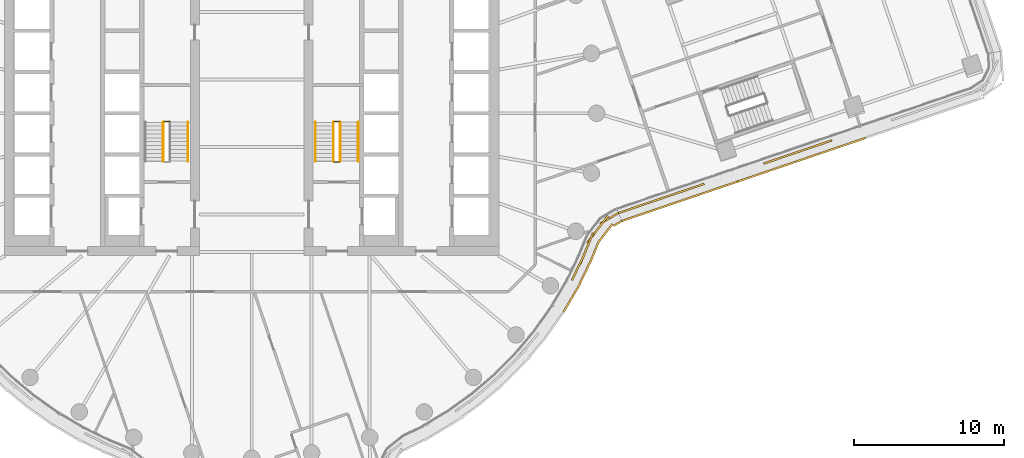
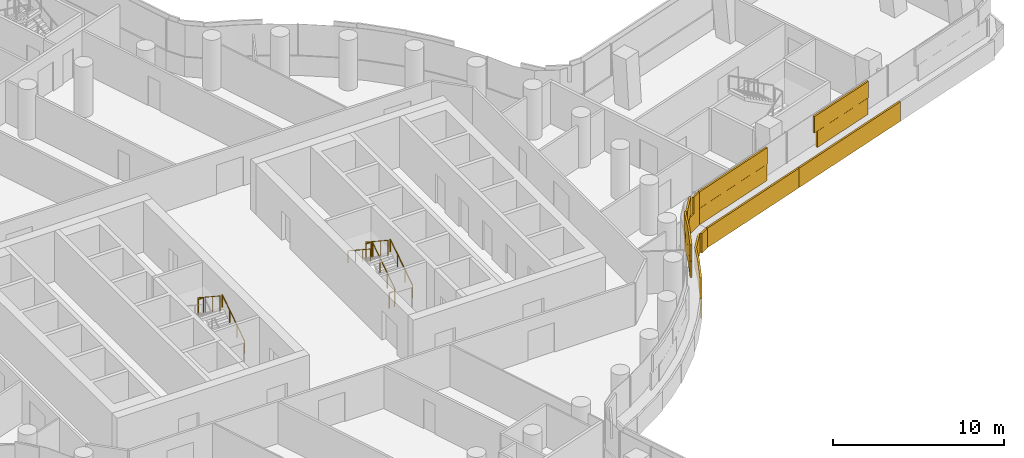
# One storey, part 26 of 29: 9 railings, 3 coverings.
"""IFC4 building model written with IfcOpenShell, lengths in metres."""

from ifc_helpers import new_model, si_unit, direction, frame, origin, origin_2d, place, context, subcontext, project, spatial, rectangle, circle, extrude, material, layer, layer_set, type_object, element, save


model = new_model("IFC4")

# Units and contexts
model_context = context("Model", 3, precision=1e-05, world=origin(), true_north=direction((0.0, 1.0)))
body_context = subcontext(model_context, "Body", "Model", "MODEL_VIEW")
ifc_project = project(units=[si_unit("LENGTHUNIT", "METRE"), si_unit("AREAUNIT", "SQUARE_METRE"), si_unit("VOLUMEUNIT", "CUBIC_METRE"), si_unit("PLANEANGLEUNIT", "RADIAN"), si_unit("MASSUNIT", "GRAM", prefix="KILO")], contexts=[model_context])

# Site, building, storey
site_placement = place(None, origin())
site = spatial("IfcSite", under=ifc_project, at=site_placement, CompositionType="ELEMENT")
building_placement = place(site_placement, origin())
building = spatial("IfcBuilding", under=site, at=building_placement, Name="Tamarind Cross Interchange Tower", CompositionType="ELEMENT")
storey_placement = place(building_placement, frame((0.0, 0.0, 102.25)))
storey = spatial("IfcBuildingStorey", under=building, at=storey_placement, Name="L24", CompositionType="ELEMENT", Elevation=102.25)

# Railings
ifc_material_1 = material(Name="Stair guard")
railing_type_1 = type_object("IfcRailingType", Name="Stair guard", PredefinedType="GUARDRAIL", material=ifc_material_1)
railing_1_placement = place(storey_placement, frame((-5.5, -0.550048828125, 1.875)))
element("IfcRailing", 1, at=railing_1_placement, inside=storey, type_object=railing_type_1, Name="L24 ST1 stair guard 2", PredefinedType="GUARDRAIL", context=body_context, shape_type="SweptSolid", body=[
    extrude(circle(Radius=0.02392578125, at=origin_2d()), frame((0.0, 0.0, 1.076171875), z_axis=(-1.0, 0.0, 0.0), x_axis=(0.0, -1.0, 0.0)), (0.0, 0.0, 1.0), 0.35009765625),
    extrude(circle(Radius=0.02099609375, at=origin_2d()), origin(), (0.0, 0.0, 1.0), 1.052001953125),
    extrude(circle(Radius=0.02099609375, at=origin_2d()), frame((-0.35009765625, 0.0, 0.0)), (0.0, 0.0, 1.0), 1.052001953125),
])
railing_2_placement = place(storey_placement, frame((-5.89990234375, -0.60009765625, 2.04541015625)))
element("IfcRailing", 2, at=railing_2_placement, inside=storey, type_object=railing_type_1, Name="L24 ST1 stair guard 3", PredefinedType="GUARDRAIL", context=body_context, shape_type="SweptSolid", body=[
    extrude(circle(Radius=0.02392578125, at=origin_2d()), frame((0.0, 0.0, 1.076171875), z_axis=(0.0, -0.836278606002, 0.548304744775), x_axis=(1.0, 0.0, 0.0)), (0.0, 0.0, 1.0), 3.10888671875),
    extrude(circle(Radius=0.02099609375, at=origin_2d()), origin(), (0.0, 0.0, 1.0), 1.052001953125),
    extrude(circle(Radius=0.02099609375, at=origin_2d()), frame((0.0, -0.86669921875, 0.568115234375)), (0.0, 0.0, 1.0), 1.052001953125),
    extrude(circle(Radius=0.02099609375, at=origin_2d()), frame((0.0, -1.733154296875, 1.136474609375)), (0.0, 0.0, 1.0), 1.052001953125),
    extrude(circle(Radius=0.02099609375, at=origin_2d()), frame((0.0, -2.599853515625, 1.70458984375)), (0.0, 0.0, 1.0), 1.052001953125),
])
railing_3_placement = place(storey_placement, frame((5.89990234375, -3.199951171875, 0.17041015625)))
element("IfcRailing", 3, at=railing_3_placement, inside=storey, type_object=railing_type_1, Name="L24 ST2 stair guard 1", PredefinedType="GUARDRAIL", context=body_context, shape_type="SweptSolid", body=[
    extrude(circle(Radius=0.02392578125, at=origin_2d()), frame((0.0, 0.0, 1.076171875), z_axis=(0.0, 0.836278606002, 0.548304744775), x_axis=(-1.0, 0.0, 0.0)), (0.0, 0.0, 1.0), 3.10888671875),
    extrude(circle(Radius=0.02099609375, at=origin_2d()), origin(), (0.0, 0.0, 1.0), 1.052001953125),
    extrude(circle(Radius=0.02099609375, at=origin_2d()), frame((0.0, 0.86669921875, 0.568115234375)), (0.0, 0.0, 1.0), 1.052001953125),
    extrude(circle(Radius=0.02099609375, at=origin_2d()), frame((0.0, 1.733154296875, 1.136474609375)), (0.0, 0.0, 1.0), 1.052001953125),
    extrude(circle(Radius=0.02099609375, at=origin_2d()), frame((0.0, 2.599853515625, 1.70458984375)), (0.0, 0.0, 1.0), 1.052001953125),
])
railing_4_placement = place(storey_placement, frame((5.85009765625, -0.550048828125, 1.875)))
element("IfcRailing", 4, at=railing_4_placement, inside=storey, type_object=railing_type_1, Name="L24 ST2 stair guard 2", PredefinedType="GUARDRAIL", context=body_context, shape_type="SweptSolid", body=[
    extrude(circle(Radius=0.02392578125, at=origin_2d()), frame((0.0, 0.0, 1.076171875), z_axis=(-1.0, 0.0, 0.0), x_axis=(0.0, -1.0, 0.0)), (0.0, 0.0, 1.0), 0.35009765625),
    extrude(circle(Radius=0.02099609375, at=origin_2d()), origin(), (0.0, 0.0, 1.0), 1.052001953125),
    extrude(circle(Radius=0.02099609375, at=origin_2d()), frame((-0.35009765625, 0.0, 0.0)), (0.0, 0.0, 1.0), 1.052001953125),
])
railing_5_placement = place(storey_placement, frame((5.449951171875, -0.60009765625, 2.04541015625)))
element("IfcRailing", 5, at=railing_5_placement, inside=storey, type_object=railing_type_1, Name="L24 ST2 stair guard 3", PredefinedType="GUARDRAIL", context=body_context, shape_type="SweptSolid", body=[
    extrude(circle(Radius=0.02392578125, at=origin_2d()), frame((0.0, 0.0, 1.076171875), z_axis=(0.0, -0.836278606002, 0.548304744775), x_axis=(1.0, 0.0, 0.0)), (0.0, 0.0, 1.0), 3.10888671875),
    extrude(circle(Radius=0.02099609375, at=origin_2d()), origin(), (0.0, 0.0, 1.0), 1.052001953125),
    extrude(circle(Radius=0.02099609375, at=origin_2d()), frame((0.0, -0.86669921875, 0.568115234375)), (0.0, 0.0, 1.0), 1.052001953125),
    extrude(circle(Radius=0.02099609375, at=origin_2d()), frame((0.0, -1.733154296875, 1.136474609375)), (0.0, 0.0, 1.0), 1.052001953125),
    extrude(circle(Radius=0.02099609375, at=origin_2d()), frame((0.0, -2.599853515625, 1.70458984375)), (0.0, 0.0, 1.0), 1.052001953125),
])
railing_6_placement = place(storey_placement, frame((5.85009765625, -3.25, 0.0)))
element("IfcRailing", 6, at=railing_6_placement, inside=storey, type_object=railing_type_1, Name="L24 ST2 stair guard 4", PredefinedType="GUARDRAIL", context=body_context, shape_type="SweptSolid", body=[
    extrude(circle(Radius=0.02392578125, at=origin_2d()), frame((0.0, 0.0, 1.076171875), z_axis=(-1.0, 0.0, 0.0), x_axis=(0.0, -1.0, 0.0)), (0.0, 0.0, 1.0), 0.35009765625),
    extrude(circle(Radius=0.02099609375, at=origin_2d()), origin(), (0.0, 0.0, 1.0), 1.052001953125),
    extrude(circle(Radius=0.02099609375, at=origin_2d()), frame((-0.35009765625, 0.0, 0.0)), (0.0, 0.0, 1.0), 1.052001953125),
])
ifc_material_2 = material(Name="Stair handrail")
railing_type_2 = type_object("IfcRailingType", Name="Stair handrail", PredefinedType="HANDRAIL", material=ifc_material_2)
for number, where, name in (
    (7, (-4.25, -3.199951171875, 0.17041015625), "L24 ST1 stair handrail 1"),
    (8, (7.10009765625, -3.199951171875, 0.17041015625), "L24 ST2 stair handrail 1"),
):
    element("IfcRailing", number, at=place(storey_placement, frame(where)), inside=storey, type_object=railing_type_2, Name=name, PredefinedType="HANDRAIL", context=body_context, shape_type="SweptSolid", body=[
        extrude(circle(Radius=0.02392578125, at=origin_2d()), frame((0.0, 0.0, 0.8759765625), z_axis=(0.0, 0.836278606002, 0.548304744775), x_axis=(-1.0, 0.0, 0.0)), (0.0, 0.0, 1.0), 3.10888671875),
        extrude(circle(Radius=0.02099609375, at=origin_2d()), origin(), (0.0, 0.0, 1.0), 0.851806640625),
        extrude(circle(Radius=0.02099609375, at=origin_2d()), frame((0.0, 0.86669921875, 0.568115234375)), (0.0, 0.0, 1.0), 0.851806640625),
        extrude(circle(Radius=0.02099609375, at=origin_2d()), frame((0.0, 1.733154296875, 1.136474609375)), (0.0, 0.0, 1.0), 0.851806640625),
        extrude(circle(Radius=0.02099609375, at=origin_2d()), frame((0.0, 2.599853515625, 1.70458984375)), (0.0, 0.0, 1.0), 0.851806640625),
    ])
railing_7_placement = place(storey_placement, frame((4.25, -0.60009765625, 2.04541015625)))
element("IfcRailing", 9, at=railing_7_placement, inside=storey, type_object=railing_type_2, Name="L24 ST2 stair handrail 2", PredefinedType="HANDRAIL", context=body_context, shape_type="SweptSolid", body=[
    extrude(circle(Radius=0.02392578125, at=origin_2d()), frame((0.0, 0.0, 0.8759765625), z_axis=(0.0, -0.836278606002, 0.548304744775), x_axis=(1.0, 0.0, 0.0)), (0.0, 0.0, 1.0), 3.10888671875),
    extrude(circle(Radius=0.02099609375, at=origin_2d()), origin(), (0.0, 0.0, 1.0), 0.851806640625),
    extrude(circle(Radius=0.02099609375, at=origin_2d()), frame((0.0, -0.86669921875, 0.568115234375)), (0.0, 0.0, 1.0), 0.851806640625),
    extrude(circle(Radius=0.02099609375, at=origin_2d()), frame((0.0, -1.733154296875, 1.136474609375)), (0.0, 0.0, 1.0), 0.851806640625),
    extrude(circle(Radius=0.02099609375, at=origin_2d()), frame((0.0, -2.599853515625, 1.70458984375)), (0.0, 0.0, 1.0), 0.851806640625),
])

# Coverings
ifc_material_3 = material(Name="Terracotta", Category="masonry")
ifc_layer = layer(ifc_material_3, 0.1201171875)
ifc_layer_set = layer_set([ifc_layer], Name="Terracotta")
covering_type = type_object("IfcCoveringType", Name="Terracotta baguette screen unit", PredefinedType="MOLDING", material=ifc_layer_set)
covering_1_placement = place(storey_placement, origin())
element("IfcCovering", 10, at=covering_1_placement, inside=storey, type_object=covering_type, Name="SCR-L24-06-01", PredefinedType="MOLDING", context=body_context, shape_type="SweptSolid", body=[
    extrude(rectangle(XDim=1.19775390625, YDim=0.1201171875, at=origin_2d()), frame((21.610595703125, -10.58984375, 1.404052734375), z_axis=(0.0, 0.0, 1.0), x_axis=(0.435326231914, 0.900272776334, 0.0)), (0.0, 0.0, 1.0), 1.1669921875),
    extrude(rectangle(XDim=1.52001953125, YDim=0.1201171875, at=origin_2d()), frame((22.18310546875, -9.374267578125, 1.404052734375), z_axis=(0.0, 0.0, 1.0), x_axis=(0.379338603417, 0.925257922937, 0.0)), (0.0, 0.0, 1.0), 1.1669921875),
    extrude(rectangle(XDim=1.52001953125, YDim=0.1201171875, at=origin_2d()), frame((22.833740234375, -8.033447265625, 1.404052734375), z_axis=(0.0, 0.0, 1.0), x_axis=(0.61003032854, 0.792378065232, 0.0)), (0.0, 0.0, 1.0), 1.1669921875),
    extrude(rectangle(XDim=1.421630859375, YDim=0.1201171875, at=origin_2d()), frame((23.836669921875, -7.0107421875, 1.404052734375), z_axis=(0.0, 0.0, 1.0), x_axis=(0.864824871878, 0.502073640995, 0.0)), (0.0, 0.0, 1.0), 1.1669921875),
    extrude(rectangle(XDim=0.44775390625, YDim=0.1201171875, at=origin_2d()), frame((21.447265625, -10.927490234375, 2.5791015625), z_axis=(0.0, 0.0, 1.0), x_axis=(0.435326231914, 0.900272776334, 0.0)), (0.0, 0.0, 1.0), 1.1669921875),
    extrude(rectangle(XDim=1.52001953125, YDim=0.1201171875, at=origin_2d()), frame((21.869140625, -10.05517578125, 2.5791015625), z_axis=(0.0, 0.0, 1.0), x_axis=(0.435326231914, 0.900272776334, 0.0)), (0.0, 0.0, 1.0), 1.1669921875),
    extrude(rectangle(XDim=1.52001953125, YDim=0.1201171875, at=origin_2d()), frame((22.467529296875, -8.680419921875, 2.5791015625), z_axis=(0.0, 0.0, 1.0), x_axis=(0.379338603417, 0.925257922937, 0.0)), (0.0, 0.0, 1.0), 1.1669921875),
    extrude(rectangle(XDim=1.52001953125, YDim=0.1201171875, at=origin_2d()), frame((23.291259765625, -7.439208984375, 2.5791015625), z_axis=(0.0, 0.0, 1.0), x_axis=(0.61003032854, 0.792378065232, 0.0)), (0.0, 0.0, 1.0), 1.1669921875),
    extrude(rectangle(XDim=0.671630859375, YDim=0.1201171875, at=origin_2d()), frame((24.160888671875, -6.822509765625, 2.5791015625), z_axis=(0.0, 0.0, 1.0), x_axis=(0.864824871878, 0.502073640995, 0.0)), (0.0, 0.0, 1.0), 1.1669921875),
    extrude(rectangle(XDim=0.731689453125, YDim=0.1201171875, at=origin_2d()), frame((20.97509765625, -12.9375, 0.00390625), z_axis=(0.0, 0.0, 1.0), x_axis=(0.508183308752, 0.861248933065, 0.0)), (0.0, 0.0, 1.0), 1.39208984375),
    extrude(rectangle(XDim=1.52001953125, YDim=0.1201171875, at=origin_2d()), frame((21.537109375, -11.985107421875, 0.00390625), z_axis=(0.0, 0.0, 1.0), x_axis=(0.508183308752, 0.861248933065, 0.0)), (0.0, 0.0, 1.0), 1.39208984375),
    extrude(rectangle(XDim=1.52001953125, YDim=0.1201171875, at=origin_2d()), frame((22.218994140625, -10.650146484375, 0.00390625), z_axis=(0.0, 0.0, 1.0), x_axis=(0.435326231914, 0.900272776334, 0.0)), (0.0, 0.0, 1.0), 1.39208984375),
    extrude(rectangle(XDim=1.52001953125, YDim=0.1201171875, at=origin_2d()), frame((22.840087890625, -9.285400390625, 0.00390625), z_axis=(0.0, 0.0, 1.0), x_axis=(0.379338603417, 0.925257922937, 0.0)), (0.0, 0.0, 1.0), 1.39208984375),
    extrude(rectangle(XDim=1.52001953125, YDim=0.1201171875, at=origin_2d()), frame((23.584716796875, -7.998779296875, 0.00390625), z_axis=(0.0, 0.0, 1.0), x_axis=(0.61003032854, 0.792378065232, 0.0)), (0.0, 0.0, 1.0), 1.39208984375),
    extrude(rectangle(XDim=0.65283203125, YDim=0.1201171875, at=origin_2d()), frame((24.403564453125, -7.345458984375, 0.00390625), z_axis=(0.0, 0.0, 1.0), x_axis=(0.864824871878, 0.502073640995, 0.0)), (0.0, 0.0, 1.0), 1.39208984375),
])
covering_2_placement = place(storey_placement, origin())
element("IfcCovering", 11, at=covering_2_placement, inside=storey, type_object=covering_type, Name="SCR-L24-07-00", PredefinedType="MOLDING", context=body_context, shape_type="SweptSolid", body=[
    extrude(rectangle(XDim=1.510009765625, YDim=0.1201171875, at=origin_2d()), frame((25.156982421875, -6.414794921875, 1.404052734375), z_axis=(0.0, 0.0, 1.0), x_axis=(0.946613256786, 0.322371434957, 0.0)), (0.0, 0.0, 1.0), 1.1669921875),
    extrude(rectangle(XDim=1.52001953125, YDim=0.1201171875, at=origin_2d()), frame((26.576904296875, -5.93115234375, 1.404052734375), z_axis=(0.0, 0.0, 1.0), x_axis=(0.946613256786, 0.322371434957, 0.0)), (0.0, 0.0, 1.0), 1.1669921875),
    extrude(rectangle(XDim=1.52001953125, YDim=0.1201171875, at=origin_2d()), frame((27.996826171875, -5.447509765625, 1.404052734375), z_axis=(0.0, 0.0, 1.0), x_axis=(0.946613256786, 0.322371434957, 0.0)), (0.0, 0.0, 1.0), 1.1669921875),
    extrude(rectangle(XDim=1.52001953125, YDim=0.1201171875, at=origin_2d()), frame((29.416748046875, -4.964111328125, 1.404052734375), z_axis=(0.0, 0.0, 1.0), x_axis=(0.946613256786, 0.322371434957, 0.0)), (0.0, 0.0, 1.0), 1.1669921875),
    extrude(rectangle(XDim=0.760009765625, YDim=0.1201171875, at=origin_2d()), frame((24.802001953125, -6.53564453125, 2.5791015625), z_axis=(0.0, 0.0, 1.0), x_axis=(0.946613256786, 0.322371434957, 0.0)), (0.0, 0.0, 1.0), 1.1669921875),
    extrude(rectangle(XDim=1.52001953125, YDim=0.1201171875, at=origin_2d()), frame((25.866943359375, -6.1728515625, 2.5791015625), z_axis=(0.0, 0.0, 1.0), x_axis=(0.946613256786, 0.322371434957, 0.0)), (0.0, 0.0, 1.0), 1.1669921875),
    extrude(rectangle(XDim=1.52001953125, YDim=0.1201171875, at=origin_2d()), frame((27.286865234375, -5.689453125, 2.5791015625), z_axis=(0.0, 0.0, 1.0), x_axis=(0.946613256786, 0.322371434957, 0.0)), (0.0, 0.0, 1.0), 1.1669921875),
    extrude(rectangle(XDim=1.52001953125, YDim=0.1201171875, at=origin_2d()), frame((28.706787109375, -5.205810546875, 2.5791015625), z_axis=(0.0, 0.0, 1.0), x_axis=(0.946613256786, 0.322371434957, 0.0)), (0.0, 0.0, 1.0), 1.1669921875),
    extrude(rectangle(XDim=0.79931640625, YDim=0.1201171875, at=origin_2d()), frame((29.790283203125, -4.8369140625, 2.5791015625), z_axis=(0.0, 0.0, 1.0), x_axis=(0.946613256786, 0.322371434957, 0.0)), (0.0, 0.0, 1.0), 1.1669921875),
    extrude(rectangle(XDim=1.510009765625, YDim=0.1201171875, at=origin_2d()), frame((25.400634765625, -6.938232421875, 0.00390625), z_axis=(0.0, 0.0, 1.0), x_axis=(0.946613256786, 0.322371434957, 0.0)), (0.0, 0.0, 1.0), 1.39208984375),
    extrude(rectangle(XDim=1.52001953125, YDim=0.1201171875, at=origin_2d()), frame((26.81591796875, -6.4560546875, 0.00390625), z_axis=(0.0, 0.0, 1.0), x_axis=(0.946613256786, 0.322371434957, 0.0)), (0.0, 0.0, 1.0), 1.39208984375),
    extrude(rectangle(XDim=1.52001953125, YDim=0.1201171875, at=origin_2d()), frame((28.23583984375, -5.97265625, 0.00390625), z_axis=(0.0, 0.0, 1.0), x_axis=(0.946613256786, 0.322371434957, 0.0)), (0.0, 0.0, 1.0), 1.39208984375),
    extrude(rectangle(XDim=1.52001953125, YDim=0.1201171875, at=origin_2d()), frame((29.65576171875, -5.489013671875, 0.00390625), z_axis=(0.0, 0.0, 1.0), x_axis=(0.946613256786, 0.322371434957, 0.0)), (0.0, 0.0, 1.0), 1.39208984375),
    extrude(rectangle(XDim=1.52001953125, YDim=0.1201171875, at=origin_2d()), frame((31.07568359375, -5.005615234375, 0.00390625), z_axis=(0.0, 0.0, 1.0), x_axis=(0.946613256786, 0.322371434957, 0.0)), (0.0, 0.0, 1.0), 1.39208984375),
    extrude(rectangle(XDim=0.655517578125, YDim=0.1201171875, at=origin_2d()), frame((32.08642578125, -4.661376953125, 0.00390625), z_axis=(0.0, 0.0, 1.0), x_axis=(0.946613256786, 0.322371434957, 0.0)), (0.0, 0.0, 1.0), 1.39208984375),
])
covering_3_placement = place(storey_placement, origin())
element("IfcCovering", 12, at=covering_3_placement, inside=storey, type_object=covering_type, Name="SCR-L24-07-01", PredefinedType="MOLDING", context=body_context, shape_type="SweptSolid", body=[
    extrude(rectangle(XDim=1.52001953125, YDim=0.1201171875, at=origin_2d()), frame((35.096435546875, -3.02978515625, 1.404052734375), z_axis=(0.0, 0.0, 1.0), x_axis=(0.946613256786, 0.322371434957, 0.0)), (0.0, 0.0, 1.0), 1.1669921875),
    extrude(rectangle(XDim=1.52001953125, YDim=0.1201171875, at=origin_2d()), frame((36.516357421875, -2.54638671875, 1.404052734375), z_axis=(0.0, 0.0, 1.0), x_axis=(0.946613256786, 0.322371434957, 0.0)), (0.0, 0.0, 1.0), 1.1669921875),
    extrude(rectangle(XDim=1.52001953125, YDim=0.1201171875, at=origin_2d()), frame((37.936279296875, -2.062744140625, 1.404052734375), z_axis=(0.0, 0.0, 1.0), x_axis=(0.946613256786, 0.322371434957, 0.0)), (0.0, 0.0, 1.0), 1.1669921875),
    extrude(rectangle(XDim=1.020751953125, YDim=0.1201171875, at=origin_2d()), frame((34.6181640625, -3.192626953125, 2.5791015625), z_axis=(0.0, 0.0, 1.0), x_axis=(0.946613256786, 0.322371434957, 0.0)), (0.0, 0.0, 1.0), 1.1669921875),
    extrude(rectangle(XDim=1.52001953125, YDim=0.1201171875, at=origin_2d()), frame((35.806396484375, -2.7880859375, 2.5791015625), z_axis=(0.0, 0.0, 1.0), x_axis=(0.946613256786, 0.322371434957, 0.0)), (0.0, 0.0, 1.0), 1.1669921875),
    extrude(rectangle(XDim=1.52001953125, YDim=0.1201171875, at=origin_2d()), frame((37.226318359375, -2.304443359375, 2.5791015625), z_axis=(0.0, 0.0, 1.0), x_axis=(0.946613256786, 0.322371434957, 0.0)), (0.0, 0.0, 1.0), 1.1669921875),
    extrude(rectangle(XDim=0.80029296875, YDim=0.1201171875, at=origin_2d()), frame((38.310302734375, -1.935302734375, 2.5791015625), z_axis=(0.0, 0.0, 1.0), x_axis=(0.946613256786, 0.322371434957, 0.0)), (0.0, 0.0, 1.0), 1.1669921875),
    extrude(rectangle(XDim=0.864501953125, YDim=0.1201171875, at=origin_2d()), frame((32.8056640625, -4.416259765625, 0.00390625), z_axis=(0.0, 0.0, 1.0), x_axis=(0.946613256786, 0.322371434957, 0.0)), (0.0, 0.0, 1.0), 1.39208984375),
    extrude(rectangle(XDim=1.52001953125, YDim=0.1201171875, at=origin_2d()), frame((33.91552734375, -4.038330078125, 0.00390625), z_axis=(0.0, 0.0, 1.0), x_axis=(0.946613256786, 0.322371434957, 0.0)), (0.0, 0.0, 1.0), 1.39208984375),
    extrude(rectangle(XDim=1.52001953125, YDim=0.1201171875, at=origin_2d()), frame((35.33544921875, -3.554931640625, 0.00390625), z_axis=(0.0, 0.0, 1.0), x_axis=(0.946613256786, 0.322371434957, 0.0)), (0.0, 0.0, 1.0), 1.39208984375),
    extrude(rectangle(XDim=1.52001953125, YDim=0.1201171875, at=origin_2d()), frame((36.75537109375, -3.0712890625, 0.00390625), z_axis=(0.0, 0.0, 1.0), x_axis=(0.946613256786, 0.322371434957, 0.0)), (0.0, 0.0, 1.0), 1.39208984375),
    extrude(rectangle(XDim=1.52001953125, YDim=0.1201171875, at=origin_2d()), frame((38.17529296875, -2.587646484375, 0.00390625), z_axis=(0.0, 0.0, 1.0), x_axis=(0.946613256786, 0.322371434957, 0.0)), (0.0, 0.0, 1.0), 1.39208984375),
    extrude(rectangle(XDim=1.52001953125, YDim=0.1201171875, at=origin_2d()), frame((39.59521484375, -2.104248046875, 0.00390625), z_axis=(0.0, 0.0, 1.0), x_axis=(0.946613256786, 0.322371434957, 0.0)), (0.0, 0.0, 1.0), 1.39208984375),
    extrude(rectangle(XDim=0.6630859375, YDim=0.1201171875, at=origin_2d()), frame((40.609619140625, -1.7587890625, 0.00390625), z_axis=(0.0, 0.0, 1.0), x_axis=(0.946613256786, 0.322371434957, 0.0)), (0.0, 0.0, 1.0), 1.39208984375),
])

save(model, "model.ifc")
